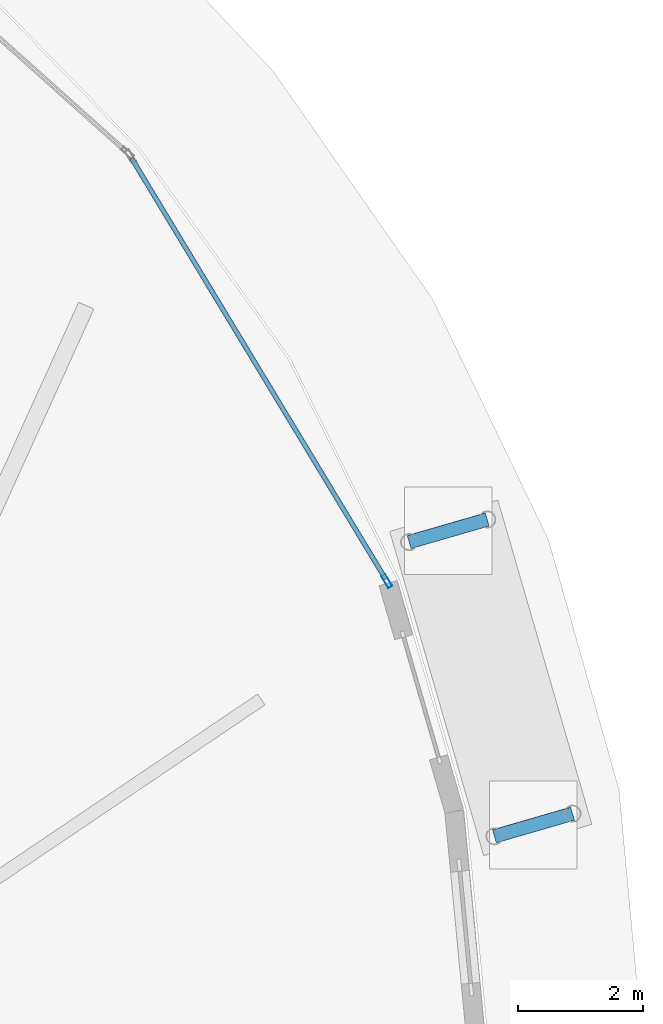
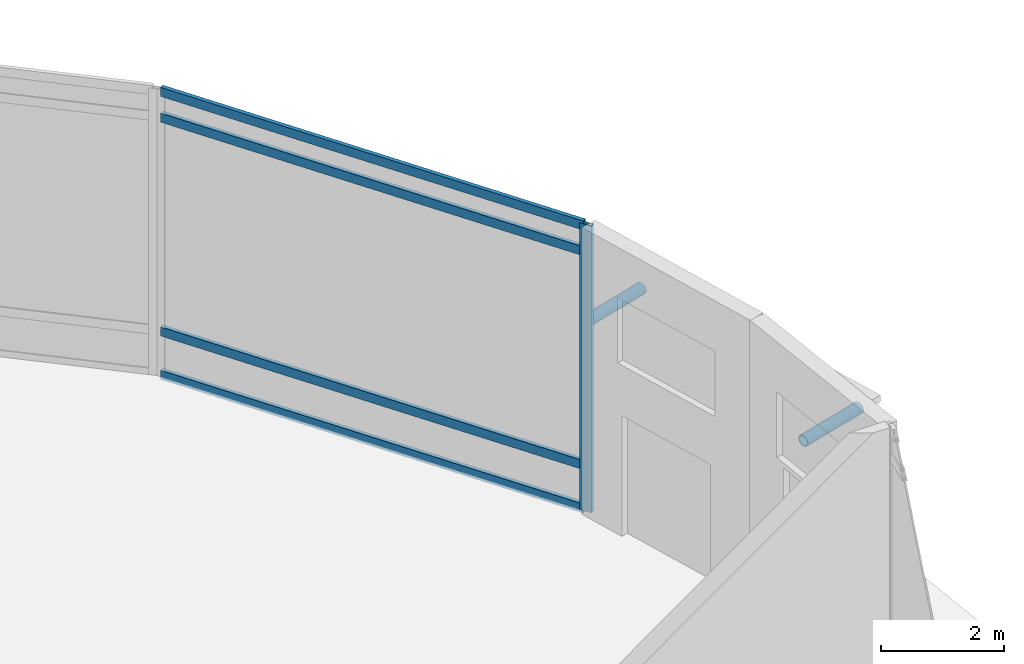
# One storey, part 27 of 40: 7 members, 1 element without a shape of its own.
"""IFC4 building model written with IfcOpenShell, lengths in metres."""

from ifc_helpers import new_model, si_unit, direction, frame, origin, origin_2d, place, context, subcontext, project, spatial, hollow_rectangle, hollow_circle, extrude, material, layer, layer_set, material_profile, profile_set, type_object, element, aggregate, save


model = new_model("IFC4")

# Units and contexts
model_context = context("Model", 3, precision=1e-05, world=origin(), true_north=direction((0.0, 1.0)))
body_context = subcontext(model_context, "Body", "Model", "MODEL_VIEW")
ifc_project = project(units=[si_unit("LENGTHUNIT", "METRE"), si_unit("AREAUNIT", "SQUARE_METRE"), si_unit("VOLUMEUNIT", "CUBIC_METRE"), si_unit("PLANEANGLEUNIT", "RADIAN"), si_unit("MASSUNIT", "GRAM", prefix="KILO")], contexts=[model_context])

# Site, building, storey
site_placement = place(None, origin())
site = spatial("IfcSite", under=ifc_project, at=site_placement, CompositionType="ELEMENT")
building_placement = place(site_placement, origin())
building = spatial("IfcBuilding", under=site, at=building_placement, Name="Nuhasar Tower", CompositionType="ELEMENT")
storey_placement = place(building_placement, origin())
storey = spatial("IfcBuildingStorey", under=building, at=storey_placement, Name="L00", CompositionType="ELEMENT", Elevation=0.0)

# Members
ifc_material_1 = material(Name="Steel S355", Category="steel")
ifc_material_profile_1 = material_profile(ifc_material_1, hollow_circle(Radius=0.109619140625, WallThickness=0.0126953125, at=origin_2d()), Name="HSS219.1X12.7")
ifc_profile_set_1 = profile_set([ifc_material_profile_1], Name="Steel S355")
member_type_1 = type_object("IfcMemberType", Name="CANOPY-RAFTER-219", PredefinedType="RAFTER", material=ifc_profile_set_1)
member_1_placement = place(storey_placement, frame((80.72900390625, 30.112060546875, 3.25), z_axis=(0.960461273278, 0.278413617723, 0.0), x_axis=(-0.278413617723, 0.960461273278, 0.0)))
element("IfcMember", 1, at=member_1_placement, inside=storey, type_object=member_type_1, Name="L00 Entrance Canopy Rafter East 1", PredefinedType="RAFTER", context=body_context, shape_type="SweptSolid", body=[
    extrude(hollow_circle(Radius=0.109619140625, WallThickness=0.0126953125, at=origin_2d()), origin(), (0.0, 0.0, 1.0), 1.300537109375),
])
member_2_placement = place(storey_placement, frame((79.364990234375, 34.818115234375, 3.25), z_axis=(0.960511462128, 0.278240419639, 0.0), x_axis=(-0.278240419639, 0.960511462128, 0.0)))
element("IfcMember", 2, at=member_2_placement, inside=storey, type_object=member_type_1, Name="L00 Entrance Canopy Rafter East 2", PredefinedType="RAFTER", context=body_context, shape_type="SweptSolid", body=[
    extrude(hollow_circle(Radius=0.109619140625, WallThickness=0.0126953125, at=origin_2d()), origin(), (0.0, 0.0, 1.0), 1.30029296875),
])

# Curtain wall, members
ifc_material_2 = material(Name="Aluminium 6063-T6", Category="aluminium")
ifc_layer = layer(ifc_material_2, 0.219970703125)
ifc_layer_set = layer_set([ifc_layer], Name="Aluminium 6063-T6")
curtain_wall_type = type_object("IfcCurtainWallType", Name="CW-PODIUM", PredefinedType="NOTDEFINED", material=ifc_layer_set)
curtain_wall_placement = place(storey_placement, origin())
curtain_wall = element("IfcCurtainWall", 3, at=curtain_wall_placement, inside=storey, type_object=curtain_wall_type, Name="L00 Podium Curtain Wall Bay 02", PredefinedType="NOTDEFINED")
ifc_material_profile_2 = material_profile(ifc_material_2, hollow_rectangle(XDim=0.074951171875, YDim=0.219970703125, WallThickness=0.0048828125, at=origin_2d()), Name="CWM-1")
ifc_profile_set_2 = profile_set([ifc_material_profile_2], Name="Aluminium 6063-T6")
member_type_2 = type_object("IfcMemberType", Name="CW-MUL-S1", PredefinedType="MULLION", material=ifc_profile_set_2)
member_3_placement = place(storey_placement, frame((79.008544921875, 34.193115234375, 0.0), z_axis=(0.0, 0.0, 1.0), x_axis=(-0.856135297317, -0.516751732158, 0.0)))
member_3 = element("IfcMember", 4, at=member_3_placement, type_object=member_type_2, Name="CW-P1 mullion 1", PredefinedType="MULLION", context=body_context, shape_type="SweptSolid", body=[
    extrude(hollow_rectangle(XDim=0.074951171875, YDim=0.219970703125, WallThickness=0.0048828125, at=origin_2d()), origin(), (0.0, 0.0, 1.0), 5.699951171875),
])
ifc_material_profile_3 = material_profile(ifc_material_2, hollow_rectangle(XDim=0.074951171875, YDim=0.179931640625, WallThickness=0.00439453125, at=origin_2d()), Name="CWT-1")
ifc_profile_set_3 = profile_set([ifc_material_profile_3], Name="Aluminium 6063-T6")
member_type_3 = type_object("IfcMemberType", Name="CW-TRN-S1", PredefinedType="USERDEFINED", material=ifc_profile_set_3)
member_4_placement = place(storey_placement, frame((78.9892578125, 34.22509765625, 0.03759765625), z_axis=(-0.516745426916, 0.856139103044, 0.0), x_axis=(-0.856139103044, -0.516745426916, 0.0)))
member_4 = element("IfcMember", 5, at=member_4_placement, type_object=member_type_3, Name="CW-P1 transom 1.1", ObjectType="TRANSOM", PredefinedType="USERDEFINED", context=body_context, shape_type="SweptSolid", body=[
    extrude(hollow_rectangle(XDim=0.074951171875, YDim=0.179931640625, WallThickness=0.00439453125, at=origin_2d()), origin(), (0.0, 0.0, 1.0), 7.86181640625),
])
member_5_placement = place(storey_placement, frame((78.9892578125, 34.22509765625, 0.89990234375), z_axis=(-0.516745426916, 0.856139103044, 0.0), x_axis=(-0.856139103044, -0.516745426916, 0.0)))
member_5 = element("IfcMember", 6, at=member_5_placement, type_object=member_type_3, Name="CW-P1 transom 1.2", ObjectType="TRANSOM", PredefinedType="USERDEFINED", context=body_context, shape_type="SweptSolid", body=[
    extrude(hollow_rectangle(XDim=0.074951171875, YDim=0.179931640625, WallThickness=0.00439453125, at=origin_2d()), origin(), (0.0, 0.0, 1.0), 7.86181640625),
])
member_6_placement = place(storey_placement, frame((78.9892578125, 34.22509765625, 5.14990234375), z_axis=(-0.516745426916, 0.856139103044, 0.0), x_axis=(-0.856139103044, -0.516745426916, 0.0)))
member_6 = element("IfcMember", 7, at=member_6_placement, type_object=member_type_3, Name="CW-P1 transom 1.3", ObjectType="TRANSOM", PredefinedType="USERDEFINED", context=body_context, shape_type="SweptSolid", body=[
    extrude(hollow_rectangle(XDim=0.074951171875, YDim=0.179931640625, WallThickness=0.00439453125, at=origin_2d()), origin(), (0.0, 0.0, 1.0), 7.86181640625),
])
member_7_placement = place(storey_placement, frame((78.9892578125, 34.22509765625, 5.66259765625), z_axis=(-0.516745426916, 0.856139103044, 0.0), x_axis=(-0.856139103044, -0.516745426916, 0.0)))
member_7 = element("IfcMember", 8, at=member_7_placement, type_object=member_type_3, Name="CW-P1 transom 1.4", ObjectType="TRANSOM", PredefinedType="USERDEFINED", context=body_context, shape_type="SweptSolid", body=[
    extrude(hollow_rectangle(XDim=0.074951171875, YDim=0.179931640625, WallThickness=0.00439453125, at=origin_2d()), origin(), (0.0, 0.0, 1.0), 7.86181640625),
])
aggregate(curtain_wall, [member_3, member_4, member_5, member_6, member_7])

save(model, "model.ifc")
